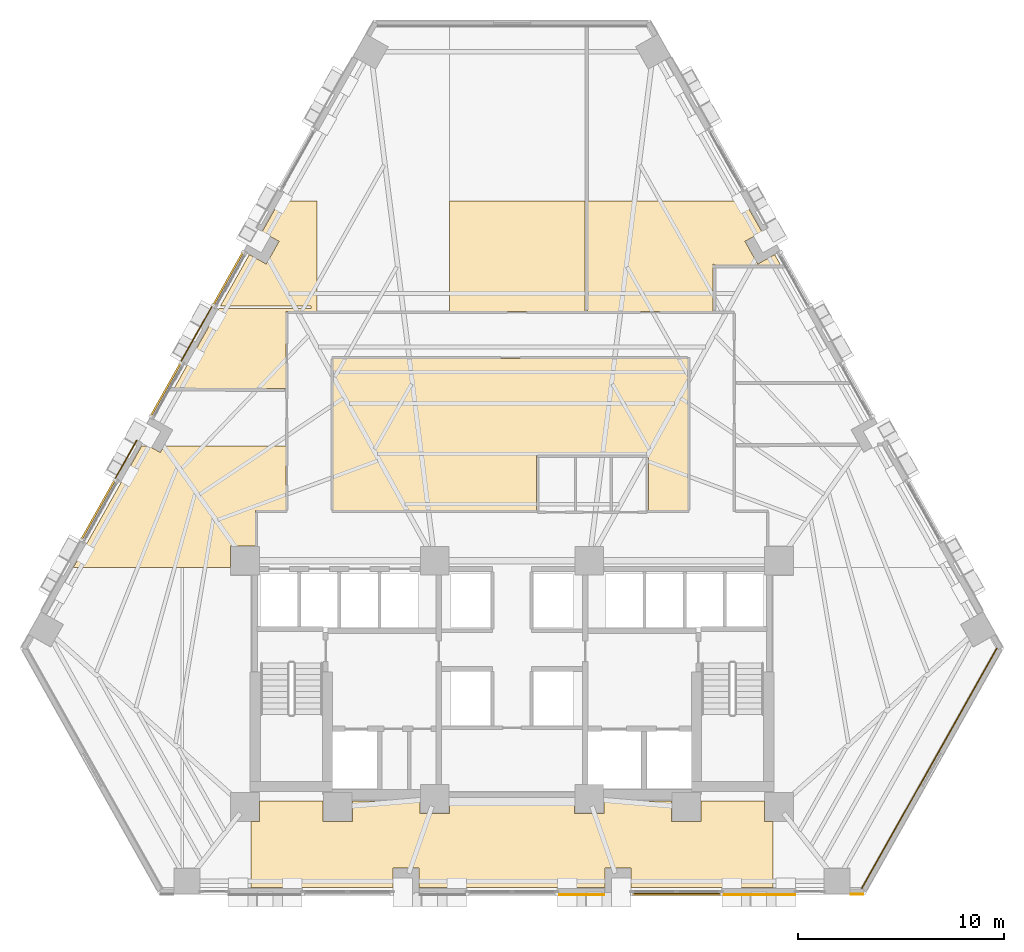
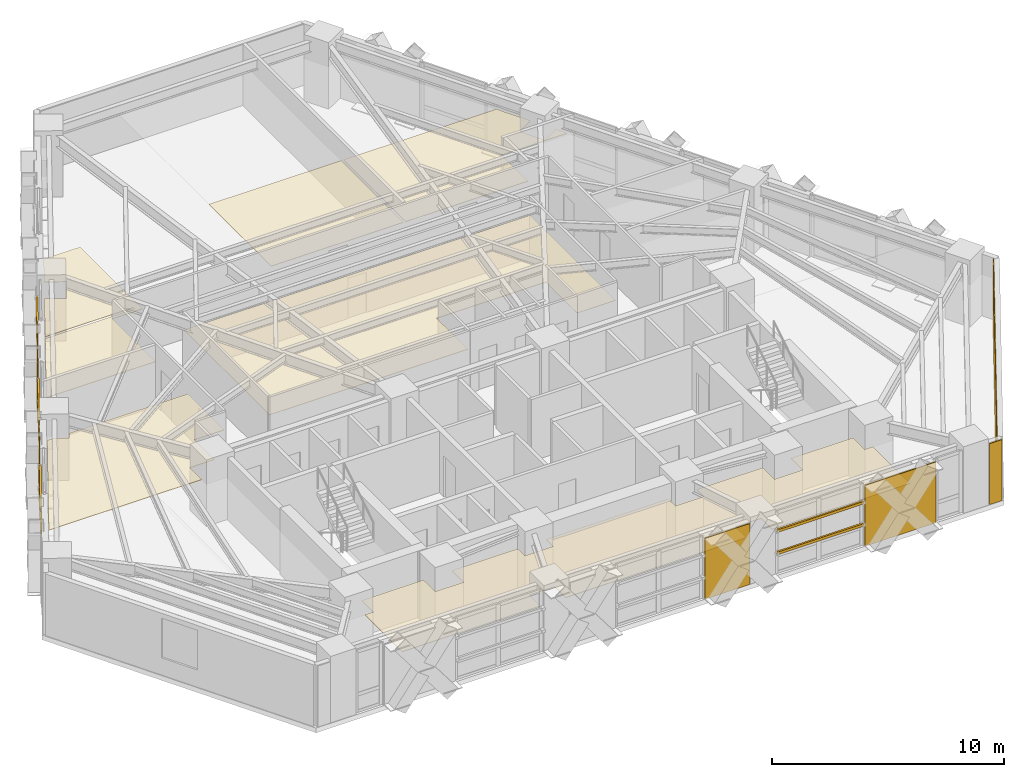
# One storey, part 11 of 13: 12 coverings, 8 shading devices.
"""IFC4 building model written with IfcOpenShell, lengths in metres."""

from ifc_helpers import new_model, si_unit, direction, frame, origin, origin_2d, place, context, subcontext, project, spatial, polyline, rectangle, outline, extrude, material, layer, layer_set, material_profile, profile_set, type_object, element, save


model = new_model("IFC4")

# Units and contexts
model_context = context("Model", 3, precision=1e-05, world=origin(), true_north=direction((0.0, 1.0)))
body_context = subcontext(model_context, "Body", "Model", "MODEL_VIEW")
ifc_project = project(units=[si_unit("LENGTHUNIT", "METRE"), si_unit("AREAUNIT", "SQUARE_METRE"), si_unit("VOLUMEUNIT", "CUBIC_METRE"), si_unit("PLANEANGLEUNIT", "RADIAN"), si_unit("MASSUNIT", "GRAM", prefix="KILO")], contexts=[model_context])

# Site, building, storey
site_placement = place(None, origin())
site = spatial("IfcSite", under=ifc_project, at=site_placement, CompositionType="ELEMENT")
building_placement = place(site_placement, origin())
building = spatial("IfcBuilding", under=site, at=building_placement, Name="Quenlor Broadcast Tower", CompositionType="ELEMENT")
storey_placement = place(building_placement, frame((0.0, 0.0, 41.60009765625)))
storey = spatial("IfcBuildingStorey", under=building, at=storey_placement, Name="L10", CompositionType="ELEMENT", Elevation=41.60009765625)

# Coverings
ifc_material_1 = material(Name="Acoustic Mineral Fibre Board", Category="other")
ifc_layer_1 = layer(ifc_material_1, 0.02490234375)
ifc_layer_set_1 = layer_set([ifc_layer_1], Name="Acoustic Perforated Mineral Tile Ceiling 25")
covering_type_1 = type_object("IfcCoveringType", Name="Acoustic Perforated Mineral Tile Ceiling 25", PredefinedType="CEILING", material=ifc_layer_set_1)
covering_1_placement = place(storey_placement, frame((0.0, 0.0, 2.224853515625)))
element("IfcCovering", 1, at=covering_1_placement, inside=storey, type_object=covering_type_1, Name="L10 Acoustic Ceiling L10-30", PredefinedType="CEILING", context=body_context, shape_type="SweptSolid", body=[
    extrude(outline(polyline([(-3.0400390625, 12.64990234375), (3.5400390625, 12.64990234375), (3.5400390625, 7.280029296875), (-3.0400390625, 7.280029296875), (-3.0400390625, 12.64990234375)])), origin(), (0.0, 0.0, 1.0), 0.025146484375),
])
covering_2_placement = place(storey_placement, frame((0.0, 0.0, 2.224853515625)))
element("IfcCovering", 2, at=covering_2_placement, inside=storey, type_object=covering_type_1, Name="L10 Acoustic Ceiling L10-31", PredefinedType="CEILING", context=body_context, shape_type="SweptSolid", body=[
    extrude(outline(polyline([(12.941162109375, 9.550048828125), (9.860107421875, 9.550048828125), (9.830810546875, 9.552978515625), (9.802490234375, 9.561279296875), (9.776611328125, 9.5751953125), (9.75390625, 9.593994140625), (9.739990234375, 9.6103515625), (9.739990234375, 7.280029296875), (3.659912109375, 7.280029296875), (3.659912109375, 12.64990234375), (11.276611328125, 12.64990234375), (12.122802734375, 11.154541015625), (11.301025390625, 10.6923828125), (11.921630859375, 9.5888671875), (12.74365234375, 10.05126953125), (13.0146484375, 9.5693359375), (12.9990234375, 9.561767578125), (12.970703125, 9.552978515625), (12.941162109375, 9.550048828125)])), origin(), (0.0, 0.0, 1.0), 0.025146484375),
])
covering_3_placement = place(storey_placement, frame((0.0, 0.0, 2.224853515625)))
element("IfcCovering", 3, at=covering_3_placement, inside=storey, type_object=covering_type_1, Name="L10 Acoustic Ceiling L10-32", PredefinedType="CEILING", context=body_context, shape_type="SweptSolid", body=[
    extrude(outline(polyline([(-14.14501953125, 7.56005859375), (-12.74365234375, 10.05126953125), (-11.921630859375, 9.5888671875), (-11.301025390625, 10.6923828125), (-12.122802734375, 11.154541015625), (-11.28173828125, 12.64990234375), (-9.4599609375, 12.64990234375), (-9.4599609375, 7.280029296875), (-10.955078125, 7.280029296875), (-10.955078125, 3.56005859375), (-16.39501953125, 3.56005859375), (-14.21240234375, 7.43994140625), (-9.75, 7.43994140625), (-9.75, 7.56005859375), (-14.14501953125, 7.56005859375)])), origin(), (0.0, 0.0, 1.0), 0.025146484375),
])
covering_4_placement = place(storey_placement, frame((0.0, 0.0, 2.224853515625)))
element("IfcCovering", 4, at=covering_4_placement, inside=storey, type_object=covering_type_1, Name="L10 Acoustic Ceiling L10-36", PredefinedType="CEILING", context=body_context, shape_type="SweptSolid", body=[
    extrude(outline(polyline([(8.544921875, 5.02001953125), (8.544921875, -2.3701171875), (6.6201171875, -2.3701171875), (6.6201171875, 0.320068359375), (1.179931640625, 0.320068359375), (1.179931640625, -2.3701171875), (-8.695068359375, -2.3701171875), (-8.695068359375, 5.02001953125), (8.544921875, 5.02001953125)])), origin(), (0.0, 0.0, 1.0), 0.025146484375),
])
covering_5_placement = place(storey_placement, frame((0.0, 0.0, 2.224853515625)))
element("IfcCovering", 5, at=covering_5_placement, inside=storey, type_object=covering_type_1, Name="L10 Acoustic Ceiling L10-37", PredefinedType="CEILING", context=body_context, shape_type="SweptSolid", body=[
    extrude(outline(polyline([(-16.88818359375, 0.759765625), (-10.955078125, 0.759765625), (-10.955078125, -2.3701171875), (-12.43994140625, -2.3701171875), (-12.43994140625, -4.092041015625), (-13.657958984375, -4.092041015625), (-13.657958984375, -5.1201171875), (-15.93994140625, -5.1201171875), (-16.06005859375, -5.1201171875), (-21.27734375, -5.1201171875), (-17.97021484375, 0.759765625), (-17.61376953125, 0.759765625), (-17.0625, 0.44970703125), (-16.88818359375, 0.759765625)])), origin(), (0.0, 0.0, 1.0), 0.025146484375),
])
covering_6_placement = place(storey_placement, frame((0.0, 0.0, 2.224853515625)))
element("IfcCovering", 6, at=covering_6_placement, inside=storey, type_object=covering_type_1, Name="L10 Acoustic Ceiling L10-37-6", PredefinedType="CEILING", context=body_context, shape_type="SweptSolid", body=[
    extrude(outline(polyline([(-12.241943359375, -17.4580078125), (-12.241943359375, -16.449951171875), (-9.157958984375, -16.449951171875), (-9.157958984375, -17.4580078125), (-7.741943359375, -17.4580078125), (-7.741943359375, -16.449951171875), (-4.4580078125, -16.449951171875), (-4.4580078125, -17.05810546875), (-3.0419921875, -17.05810546875), (-3.0419921875, -16.449951171875), (3.0419921875, -16.449951171875), (3.0419921875, -17.05810546875), (4.4580078125, -17.05810546875), (4.4580078125, -16.449951171875), (7.741943359375, -16.449951171875), (7.741943359375, -17.4580078125), (9.157958984375, -17.4580078125), (9.157958984375, -16.449951171875), (12.241943359375, -16.449951171875), (12.241943359375, -17.4580078125), (12.64990234375, -17.4580078125), (12.64990234375, -20.659912109375), (5.773681640625, -20.659912109375), (5.773681640625, -19.717041015625), (4.5078125, -19.717041015625), (4.5078125, -20.659912109375), (-4.5078125, -20.659912109375), (-4.5078125, -19.717041015625), (-5.773681640625, -19.717041015625), (-5.773681640625, -20.659912109375), (-12.64990234375, -20.659912109375), (-12.64990234375, -17.4580078125), (-12.241943359375, -17.4580078125)])), origin(), (0.0, 0.0, 1.0), 0.025146484375),
])

# Shading devices
ifc_material_2 = material(Name="Architectural Terracotta Ceramic", Category="masonry")
ifc_material_profile = material_profile(ifc_material_2, rectangle(XDim=0.090087890625, YDim=0.139892578125, at=origin_2d()))
ifc_profile_set = profile_set([ifc_material_profile], Name="Architectural Terracotta Ceramic BAG90x140")
shading_device_type = type_object("IfcShadingDeviceType", Name="Copper Terracotta Baguette Solar Screen 140", PredefinedType="USERDEFINED", material=ifc_profile_set)
for number, where, z_axis, x_axis, name in (
    (7, (10.134765625, -20.98291015625, 1.169921875), (-1.0, 0.0, 0.0), (0.0, -1.0, 0.0), "L10 Terracotta Baguette Screen 1"),
    (8, (10.134765625, -20.98291015625, 2.33984375), (-1.0, 0.0, 0.0), (0.0, -1.0, 0.0), "L10 Terracotta Baguette Screen 2"),
):
    element("IfcShadingDevice", number, at=place(storey_placement, frame(where, z_axis=z_axis, x_axis=x_axis)), inside=storey, type_object=shading_device_type, Name=name, ObjectType="BAGUETTE", PredefinedType="USERDEFINED", context=body_context, shape_type="SweptSolid", body=[
        extrude(rectangle(XDim=0.090087890625, YDim=0.139892578125, at=origin_2d()), origin(), (0.0, 0.0, 1.0), 4.303955078125),
    ])
for number, where, z_axis, x_axis, name in (
    (9, (-20.889404296875, -3.771484375, 1.169921875), (0.490289331496, 0.871559734855, 0.0), (-0.871559734855, 0.490289331496, 0.0), "L10 Terracotta Baguette Screen 1"),
    (10, (-20.889404296875, -3.771484375, 2.33984375), (0.490289331496, 0.871559734855, 0.0), (-0.871559734855, 0.490289331496, 0.0), "L10 Terracotta Baguette Screen 2"),
):
    element("IfcShadingDevice", number, at=place(storey_placement, frame(where, z_axis=z_axis, x_axis=x_axis)), inside=storey, type_object=shading_device_type, Name=name, ObjectType="BAGUETTE", PredefinedType="USERDEFINED", context=body_context, shape_type="SweptSolid", body=[
        extrude(rectangle(XDim=0.090087890625, YDim=0.139892578125, at=origin_2d()), origin(), (0.0, 0.0, 1.0), 3.301025390625),
    ])
for number, where, z_axis, x_axis, name in (
    (11, (-17.519775390625, 2.21923828125, 1.169921875), (0.490339873784, 0.871531300744, 0.0), (-0.871531300744, 0.490339873784, 0.0), "L10 Terracotta Baguette Screen 1"),
    (12, (-17.519775390625, 2.21923828125, 2.33984375), (0.490339873784, 0.871531300744, 0.0), (-0.871531300744, 0.490339873784, 0.0), "L10 Terracotta Baguette Screen 2"),
):
    element("IfcShadingDevice", number, at=place(storey_placement, frame(where, z_axis=z_axis, x_axis=x_axis)), inside=storey, type_object=shading_device_type, Name=name, ObjectType="BAGUETTE", PredefinedType="USERDEFINED", context=body_context, shape_type="SweptSolid", body=[
        extrude(rectangle(XDim=0.090087890625, YDim=0.139892578125, at=origin_2d()), origin(), (0.0, 0.0, 1.0), 2.947998046875),
    ])
for number, where, z_axis, x_axis, name in (
    (13, (-14.495849609375, 7.5947265625, 1.169921875), (0.490241581092, 0.871586594762, 0.0), (-0.871586594762, 0.490241581092, 0.0), "L10 Terracotta Baguette Screen 1"),
    (14, (-14.495849609375, 7.5947265625, 2.33984375), (0.490241581092, 0.871586594762, 0.0), (-0.871586594762, 0.490241581092, 0.0), "L10 Terracotta Baguette Screen 2"),
):
    element("IfcShadingDevice", number, at=place(storey_placement, frame(where, z_axis=z_axis, x_axis=x_axis)), inside=storey, type_object=shading_device_type, Name=name, ObjectType="BAGUETTE", PredefinedType="USERDEFINED", context=body_context, shape_type="SweptSolid", body=[
        extrude(rectangle(XDim=0.090087890625, YDim=0.139892578125, at=origin_2d()), origin(), (0.0, 0.0, 1.0), 2.9482421875),
    ])

# Coverings
ifc_material_3 = material(Name="Architectural Terracotta Ceramic", Category="masonry")
ifc_layer_2 = layer(ifc_material_3, 0.044921875)
ifc_layer_set_2 = layer_set([ifc_layer_2], Name="Fluted Terracotta Rainscreen Cladding Panel")
covering_type_2 = type_object("IfcCoveringType", Name="Fluted Terracotta Rainscreen Cladding Panel", PredefinedType="CLADDING", material=ifc_layer_set_2)
covering_7_placement = place(storey_placement, frame((0.0, 0.0, 0.02001953125)))
element("IfcCovering", 15, at=covering_7_placement, inside=storey, type_object=covering_type_2, Name="L10 Terracotta Rainscreen Cladding L10-SHD-SS0", PredefinedType="CLADDING", context=body_context, shape_type="SweptSolid", body=[
    extrude(outline(polyline([(17.0458984375, -20.951904296875), (16.425048828125, -20.951904296875), (16.425048828125, -20.9970703125), (17.0458984375, -20.9970703125), (17.0458984375, -20.951904296875)])), origin(), (0.0, 0.0, 1.0), 3.2099609375),
])
covering_8_placement = place(storey_placement, frame((0.0, 0.0, 0.02001953125)))
element("IfcCovering", 16, at=covering_8_placement, inside=storey, type_object=covering_type_2, Name="L10 Terracotta Rainscreen Cladding L10-SA-SP1", PredefinedType="CLADDING", context=body_context, shape_type="SweptSolid", body=[
    extrude(outline(polyline([(13.73681640625, -20.98193359375), (10.20458984375, -20.98193359375), (10.20458984375, -21.027099609375), (13.73681640625, -21.027099609375), (13.73681640625, -20.98193359375)])), origin(), (0.0, 0.0, 1.0), 3.2099609375),
])
covering_9_placement = place(storey_placement, frame((0.0, 0.0, 0.02001953125)))
element("IfcCovering", 17, at=covering_9_placement, inside=storey, type_object=covering_type_2, Name="L10 Terracotta Rainscreen Cladding L10-S-SP1", PredefinedType="CLADDING", context=body_context, shape_type="SweptSolid", body=[
    extrude(outline(polyline([(4.4658203125, -20.98193359375), (2.22412109375, -20.98193359375), (2.22412109375, -21.027099609375), (4.4658203125, -21.027099609375), (4.4658203125, -20.98193359375)])), origin(), (0.0, 0.0, 1.0), 3.2099609375),
])
covering_10_placement = place(storey_placement, frame((0.0, 0.0, 0.02001953125)))
element("IfcCovering", 18, at=covering_10_placement, inside=storey, type_object=covering_type_2, Name="L10 Terracotta Rainscreen Cladding L10-NWA-SP2", PredefinedType="CLADDING", context=body_context, shape_type="SweptSolid", body=[
    extrude(outline(polyline([(-19.236083984375, -0.833984375), (-18.18798828125, 1.029052734375), (-18.227294921875, 1.051025390625), (-19.275146484375, -0.81201171875), (-19.236083984375, -0.833984375)])), origin(), (0.0, 0.0, 1.0), 3.2099609375),
])
covering_11_placement = place(storey_placement, frame((0.0, 0.0, 0.02001953125)))
element("IfcCovering", 19, at=covering_11_placement, inside=storey, type_object=covering_type_2, Name="L10 Terracotta Rainscreen Cladding L10-NW-SP1", PredefinedType="CLADDING", context=body_context, shape_type="SweptSolid", body=[
    extrude(outline(polyline([(-16.039306640625, 4.84912109375), (-14.529296875, 7.533203125), (-14.568603515625, 7.555419921875), (-16.078369140625, 4.87109375), (-16.039306640625, 4.84912109375)])), origin(), (0.0, 0.0, 1.0), 3.2099609375),
])
covering_12_placement = place(storey_placement, frame((0.0, 0.0, 0.02001953125)))
element("IfcCovering", 20, at=covering_12_placement, inside=storey, type_object=covering_type_2, Name="L10 Terracotta Rainscreen Cladding L10-CNR-06", PredefinedType="CLADDING", context=body_context, shape_type="SweptSolid", body=[
    extrude(outline(polyline([(16.98388671875, -20.71533203125), (23.547607421875, -9.046875), (23.50830078125, -9.02490234375), (16.94482421875, -20.693359375), (16.98388671875, -20.71533203125)])), origin(), (0.0, 0.0, 1.0), 3.2099609375),
])

save(model, "model.ifc")
